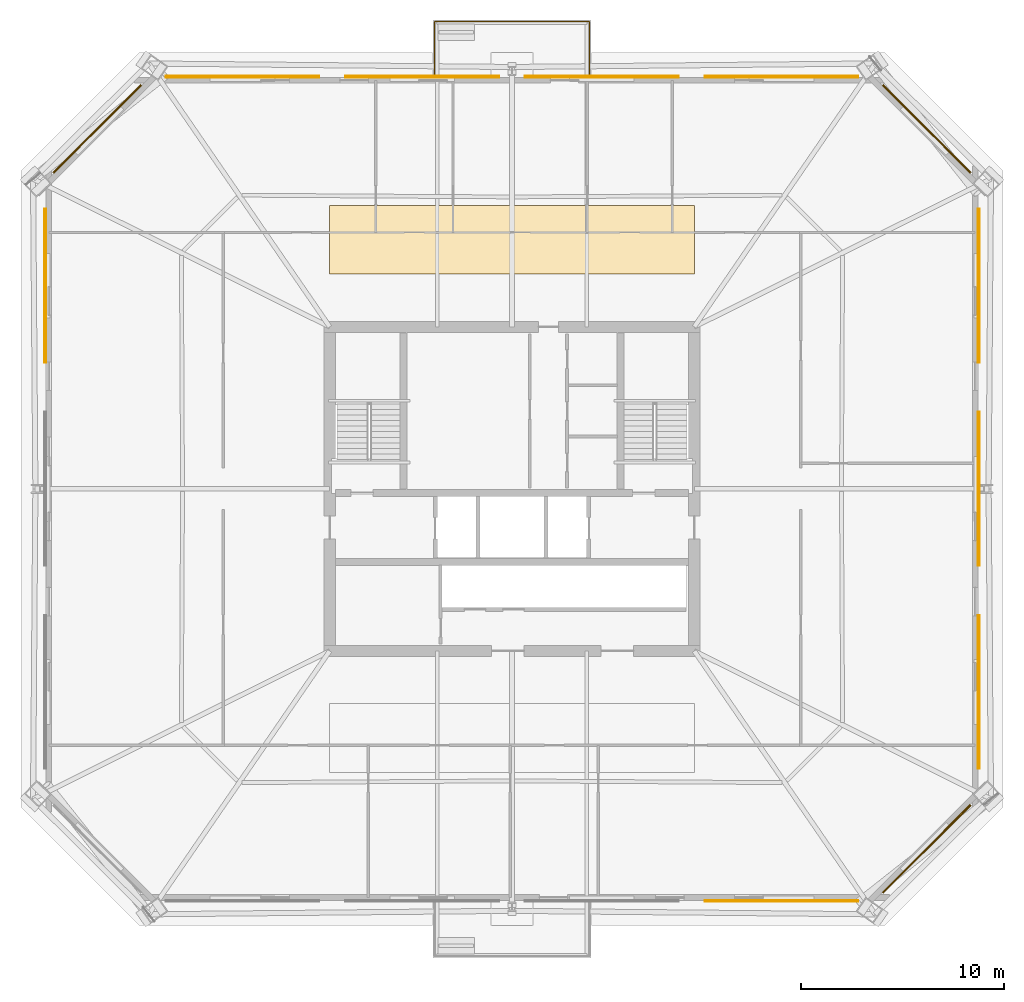
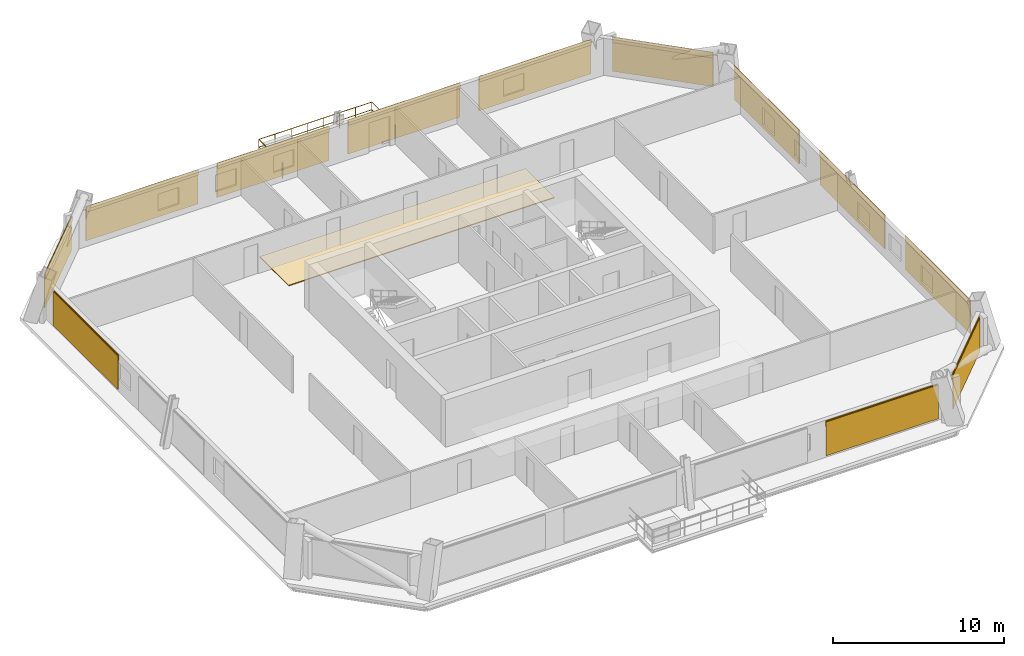
# One storey, part 7 of 7: 13 coverings, 12 shading devices, 1 railing.
"""IFC4 building model written with IfcOpenShell, lengths in metres."""

import ifcopenshell
import ifcopenshell.guid

model = None  # the IFC model being written
_history = None  # IfcOwnerHistory: only IFC2X3 demands one
_inside = {}  # id of a spatial element -> (the spatial element, [elements in it])
_under = {}  # id of a project, library or spatial element -> (it, [spatial elements below it])
_declared = {}  # id of a project -> (the project, [libraries it declares])
_typed = {}  # id of a type object -> (the type object, [elements of that type])
_made_of = {}  # id of a material, layer set ... -> (it, [elements and type objects made of it])


def new_model(schema):
    """Start an empty IFC model of exactly this schema.

    Asked for "IFC4X3", IfcOpenShell would pick the latest addendum, in which some entities
    have other attributes; the version numbers below select the first issue.
    IFC2X3 requires an IfcOwnerHistory on every rooted entity: one is made here for all.
    """
    global model, _history
    if schema == "IFC4X3":
        model = ifcopenshell.file(schema_version=(4, 3, 0, 0))
    else:
        model = ifcopenshell.file(schema=schema)
    _inside.clear()
    _under.clear()
    _declared.clear()
    _typed.clear()
    _made_of.clear()
    _history = None
    if model.schema == "IFC2X3":
        org = make("IfcOrganization", Name="unknown")
        user = make(
            "IfcPersonAndOrganization",
            ThePerson=make("IfcPerson", FamilyName="unknown"),
            TheOrganization=org,
        )
        app = make(
            "IfcApplication",
            ApplicationDeveloper=org,
            Version="unknown",
            ApplicationFullName="unknown",
            ApplicationIdentifier="unknown",
        )
        _history = make(
            "IfcOwnerHistory",
            OwningUser=user,
            OwningApplication=app,
            ChangeAction="ADDED",
            CreationDate=0,
        )
    return model


def make(cls, **values):
    """One entity of the class cls with the attributes given. An attribute that is None is left unset."""
    return model.create_entity(
        cls, **{name: value for name, value in values.items() if value is not None}
    )


def rooted(cls, **values):
    """An entity with a GlobalId (a new one), such as an element, a storey or a relation."""
    return make(cls, GlobalId=ifcopenshell.guid.new(), OwnerHistory=_history, **values)


def si_unit(unit_type, name, prefix=None):
    """IfcSIUnit, for example si_unit("LENGTHUNIT", "METRE", prefix="MILLI")."""
    return make("IfcSIUnit", UnitType=unit_type, Prefix=prefix, Name=name)


def assignment(units):
    """IfcUnitAssignment: the units of a project."""
    return None if units is None else make("IfcUnitAssignment", Units=units)


def point(xyz):
    """IfcCartesianPoint."""
    return None if xyz is None else make("IfcCartesianPoint", Coordinates=xyz)


def direction(xyz):
    """IfcDirection."""
    return None if xyz is None else make("IfcDirection", DirectionRatios=xyz)


def frame(location, z_axis=None, x_axis=None):
    """IfcAxis2Placement3D, a coordinate frame: its origin and axes. An axis left out is left unset."""
    return make(
        "IfcAxis2Placement3D",
        Location=point(location),
        Axis=direction(z_axis),
        RefDirection=direction(x_axis),
    )


def frame_2d(location, x_axis=None):
    """IfcAxis2Placement2D, a coordinate frame in the plane: its origin and x axis."""
    return make(
        "IfcAxis2Placement2D", Location=point(location), RefDirection=direction(x_axis)
    )


def origin():
    """The frame at (0, 0, 0) with its axes left unset."""
    return frame((0.0, 0.0, 0.0))


def origin_2d():
    """The frame at (0, 0) in the plane with its x axis left unset."""
    return frame_2d((0.0, 0.0))


def place(relative_to, where):
    """IfcLocalPlacement: puts the frame where relative to a parent placement (None: the world)."""
    return make(
        "IfcLocalPlacement", PlacementRelTo=relative_to, RelativePlacement=where
    )


def context(
    kind, dimensions, precision=None, world=None, true_north=None, identifier=None
):
    """IfcGeometricRepresentationContext, for example the 3D "Model" context."""
    return make(
        "IfcGeometricRepresentationContext",
        ContextIdentifier=identifier,
        ContextType=kind,
        CoordinateSpaceDimension=dimensions,
        Precision=precision,
        WorldCoordinateSystem=world,
        TrueNorth=true_north,
    )


def subcontext(parent, identifier, kind, view, scale=None):
    """IfcGeometricRepresentationSubContext, for example "Body" below "Model"."""
    return make(
        "IfcGeometricRepresentationSubContext",
        ContextIdentifier=identifier,
        ContextType=kind,
        ParentContext=parent,
        TargetScale=scale,
        TargetView=view,
    )


def project(units=None, contexts=None):
    """IfcProject with its units and contexts."""
    return rooted(
        "IfcProject",
        Name="project",
        RepresentationContexts=contexts,
        UnitsInContext=assignment(units),
    )


def spatial(cls, under=None, at=None, **own):
    """A site, building, storey or space (cls), placed at a placement, below another one or the project."""
    s = rooted(cls, ObjectPlacement=at, **own)
    if under is not None:
        _under.setdefault(under.id(), (under, []))[1].append(s)
    return s


def polyline(points):
    """IfcPolyline through the points."""
    return make("IfcPolyline", Points=[point(p) for p in points])


def profile(cls, at=None, kind="AREA", **sizes):
    """A parametric profile (cls). Its sizes go by their IFC names, for example OverallWidth=200.0."""
    return make(cls, ProfileType=kind, Position=at, **sizes)


def rectangle(**sizes):
    """IfcRectangleProfileDef."""
    return profile("IfcRectangleProfileDef", **sizes)


def circle(**sizes):
    """IfcCircleProfileDef."""
    return profile("IfcCircleProfileDef", **sizes)


def outline(outer, holes=None, kind="AREA"):
    """IfcArbitraryClosedProfileDef: a profile drawn as a closed curve; with holes, ...WithVoids."""
    if holes is None:
        return make("IfcArbitraryClosedProfileDef", ProfileType=kind, OuterCurve=outer)
    return make(
        "IfcArbitraryProfileDefWithVoids",
        ProfileType=kind,
        OuterCurve=outer,
        InnerCurves=holes,
    )


def extrude(swept, where, along, depth):
    """IfcExtrudedAreaSolid: the profile swept, set in the frame where, extruded along a direction by depth."""
    return make(
        "IfcExtrudedAreaSolid",
        SweptArea=swept,
        Position=where,
        ExtrudedDirection=direction(along),
        Depth=depth,
    )


def shape(context_of_items, identifier, shape_type, items):
    """IfcShapeRepresentation: the items that make up one representation, for example the "Body"."""
    return make(
        "IfcShapeRepresentation",
        ContextOfItems=context_of_items,
        RepresentationIdentifier=identifier,
        RepresentationType=shape_type,
        Items=items,
    )


def material(Name=None, Category=None):
    """IfcMaterial."""
    return make("IfcMaterial", Name=Name, Category=Category)


def layer(
    of_material, thickness, ventilated=None, Name=None, Category=None, Priority=None
):
    """IfcMaterialLayer: one layer of a wall or slab, of a material (None: an air gap)."""
    return make(
        "IfcMaterialLayer",
        Material=of_material,
        LayerThickness=thickness,
        IsVentilated=ventilated,
        Name=Name,
        Category=Category,
        Priority=Priority,
    )


def layer_set(layers, Name=None):
    """IfcMaterialLayerSet."""
    return make("IfcMaterialLayerSet", MaterialLayers=layers, LayerSetName=Name)


def made_of(thing, what):
    """Note that an element or type object is made of a material, layer set ...; save() writes the relation."""
    if what is not None:
        _made_of.setdefault(what.id(), (what, []))[1].append(thing)
    return thing


def type_object(cls, material=None, **own):
    """A type object (cls), such as IfcWallType, which elements share."""
    return made_of(rooted(cls, **own), material)


def element(
    cls,
    number,
    at=None,
    inside=None,
    cuts=None,
    type_object=None,
    material=None,
    context=None,
    identifier="Body",
    shape_type=None,
    held_by="IfcProductDefinitionShape",
    body=None,
    shapes=None,
    **own,
):
    """One element of the class cls, such as IfcWall. Its Tag is "e" and its number.

    at: its placement. inside: the storey or other place that contains it. cuts: it is an
    opening in that element (IfcRelVoidsElement). A single representation is given by context,
    identifier, shape_type and body (its items); several are given by shapes. held_by: the class
    of the entity that holds the representations. save() writes the other relations.
    """
    e = rooted(cls, Tag="e%d" % number, ObjectPlacement=at, **own)
    if body is not None:
        shapes = [shape(context, identifier, shape_type, body)]
    if shapes is not None:
        e.Representation = make(held_by, Representations=shapes)
    if inside is not None:
        _inside.setdefault(inside.id(), (inside, []))[1].append(e)
    if cuts is not None:
        rooted(
            "IfcRelVoidsElement", RelatingBuildingElement=cuts, RelatedOpeningElement=e
        )
    if type_object is not None:
        _typed.setdefault(type_object.id(), (type_object, []))[1].append(e)
    return made_of(e, material)


def aggregate(whole, parts):
    """IfcRelAggregates: a whole, such as a stair, and the parts it consists of."""
    return rooted("IfcRelAggregates", RelatingObject=whole, RelatedObjects=parts)


def save(model, path):
    """Write the relations noted so far, then the file.

    IfcRelAggregates (storeys below a building ...), IfcRelContainedInSpatialStructure (elements
    in a storey), IfcRelDefinesByType, IfcRelAssociatesMaterial and IfcRelDeclares: one each for
    every whole, place, type object, material and project.
    """
    for whole, parts in _under.values():
        aggregate(whole, parts)
    for where, things in _inside.values():
        rooted(
            "IfcRelContainedInSpatialStructure",
            RelatedElements=things,
            RelatingStructure=where,
        )
    for kind, things in _typed.values():
        rooted("IfcRelDefinesByType", RelatedObjects=things, RelatingType=kind)
    for what, things in _made_of.values():
        rooted("IfcRelAssociatesMaterial", RelatedObjects=things, RelatingMaterial=what)
    for by, libraries in _declared.values():
        rooted("IfcRelDeclares", RelatingContext=by, RelatedDefinitions=libraries)
    model.write(path)


model = new_model("IFC4")

# Units and contexts
model_context = context("Model", 3, precision=1e-05, world=origin(), true_north=direction((0.0, 1.0)))
body_context = subcontext(model_context, "Body", "Model", "MODEL_VIEW")
ifc_project = project(units=[si_unit("LENGTHUNIT", "METRE"), si_unit("AREAUNIT", "SQUARE_METRE"), si_unit("VOLUMEUNIT", "CUBIC_METRE"), si_unit("PLANEANGLEUNIT", "RADIAN"), si_unit("MASSUNIT", "GRAM", prefix="KILO")], contexts=[model_context])

# Site, building, storey
site_placement = place(None, origin())
site = spatial("IfcSite", under=ifc_project, at=site_placement, CompositionType="ELEMENT")
building_placement = place(site_placement, origin())
building = spatial("IfcBuilding", under=site, at=building_placement, Name="Caelvoria Tower", CompositionType="ELEMENT")
storey_placement = place(building_placement, frame((0.0, 0.0, 113.199951171875)))
storey = spatial("IfcBuildingStorey", under=building, at=storey_placement, Name="L29", CompositionType="ELEMENT", Elevation=113.199951171875)

# Railing
ifc_material_1 = material(Name="Bronze Anodised Aluminium and Stainless Steel", Category="steel")
railing_type = type_object("IfcRailingType", Name="Exterior Terrace and Balcony Guardrail 1150", PredefinedType="GUARDRAIL", material=ifc_material_1)
railing_placement = place(storey_placement, frame((42.179931640625, 52.31005859375, 0.0)))
element("IfcRailing", 1, at=railing_placement, inside=storey, type_object=railing_type, Name="Tree Balcony Guardrail TB-L29-N", PredefinedType="GUARDRAIL", context=body_context, shape_type="SweptSolid", body=[
    extrude(circle(Radius=0.02392578125, at=origin_2d()), frame((0.0, 0.0, 1.1259765625), z_axis=(0.0, 1.0, 0.0), x_axis=(-1.0, 0.0, 0.0)), (0.0, 0.0, 1.0), 2.760009765625),
    extrude(circle(Radius=0.02392578125, at=origin_2d()), frame((0.0, 0.0, 0.574951171875), z_axis=(0.0, 1.0, 0.0), x_axis=(-1.0, 0.0, 0.0)), (0.0, 0.0, 1.0), 2.760009765625),
    extrude(circle(Radius=0.02392578125, at=origin_2d()), frame((0.0, 2.760009765625, 1.1259765625), z_axis=(1.0, 0.0, 0.0), x_axis=(0.0, 1.0, 0.0)), (0.0, 0.0, 1.0), 7.64013671875),
    extrude(circle(Radius=0.02392578125, at=origin_2d()), frame((0.0, 2.760009765625, 0.574951171875), z_axis=(1.0, 0.0, 0.0), x_axis=(0.0, 1.0, 0.0)), (0.0, 0.0, 1.0), 7.64013671875),
    extrude(circle(Radius=0.02392578125, at=origin_2d()), frame((7.64013671875, 2.760009765625, 1.1259765625), z_axis=(0.0, -1.0, 0.0), x_axis=(1.0, 0.0, 0.0)), (0.0, 0.0, 1.0), 2.760009765625),
    extrude(circle(Radius=0.02392578125, at=origin_2d()), frame((7.64013671875, 2.760009765625, 0.574951171875), z_axis=(0.0, -1.0, 0.0), x_axis=(1.0, 0.0, 0.0)), (0.0, 0.0, 1.0), 2.760009765625),
    extrude(circle(Radius=0.02099609375, at=origin_2d()), origin(), (0.0, 0.0, 1.0), 1.101806640625),
    extrude(circle(Radius=0.02099609375, at=origin_2d()), frame((0.0, 0.919921875, 0.0)), (0.0, 0.0, 1.0), 1.101806640625),
    extrude(circle(Radius=0.02099609375, at=origin_2d()), frame((0.0, 1.840087890625, 0.0)), (0.0, 0.0, 1.0), 1.101806640625),
    extrude(circle(Radius=0.02099609375, at=origin_2d()), frame((0.0, 2.760009765625, 0.0)), (0.0, 0.0, 1.0), 1.101806640625),
    extrude(circle(Radius=0.02099609375, at=origin_2d()), frame((1.091552734375, 2.760009765625, 0.0)), (0.0, 0.0, 1.0), 1.101806640625),
    extrude(circle(Radius=0.02099609375, at=origin_2d()), frame((2.182861328125, 2.760009765625, 0.0)), (0.0, 0.0, 1.0), 1.101806640625),
    extrude(circle(Radius=0.02099609375, at=origin_2d()), frame((3.2744140625, 2.760009765625, 0.0)), (0.0, 0.0, 1.0), 1.101806640625),
    extrude(circle(Radius=0.02099609375, at=origin_2d()), frame((4.36572265625, 2.760009765625, 0.0)), (0.0, 0.0, 1.0), 1.101806640625),
    extrude(circle(Radius=0.02099609375, at=origin_2d()), frame((5.457275390625, 2.760009765625, 0.0)), (0.0, 0.0, 1.0), 1.101806640625),
    extrude(circle(Radius=0.02099609375, at=origin_2d()), frame((6.548583984375, 2.760009765625, 0.0)), (0.0, 0.0, 1.0), 1.101806640625),
    extrude(circle(Radius=0.02099609375, at=origin_2d()), frame((7.64013671875, 2.760009765625, 0.0)), (0.0, 0.0, 1.0), 1.101806640625),
    extrude(circle(Radius=0.02099609375, at=origin_2d()), frame((7.64013671875, 1.840087890625, 0.0)), (0.0, 0.0, 1.0), 1.101806640625),
    extrude(circle(Radius=0.02099609375, at=origin_2d()), frame((7.64013671875, 0.919921875, 0.0)), (0.0, 0.0, 1.0), 1.101806640625),
    extrude(circle(Radius=0.02099609375, at=origin_2d()), frame((7.64013671875, 0.0, 0.0)), (0.0, 0.0, 1.0), 1.101806640625),
])

# Coverings
ifc_material_2 = material(Name="Perforated Architectural Bronze Cladding Screen", Category="bronze")
ifc_layer_1 = layer(ifc_material_2, 0.0400390625, Name="Perforated Architectural Bronze Cladding Screen")
ifc_layer_set_1 = layer_set([ifc_layer_1], Name="Perforated Bronze Louvre Cladding Band 40 - Perforated Architectural Bronze Cladding Screen")
covering_type_1 = type_object("IfcCoveringType", Name="Perforated Bronze Louvre Cladding Band 40", PredefinedType="CLADDING", material=ifc_layer_set_1)
covering_1_placement = place(storey_placement, frame((59.304931640625, 11.677978515625, 2.2421875), z_axis=(0.0, 0.0, 1.0), x_axis=(1.0, 0.0, 0.0)))
element("IfcCovering", 2, at=covering_1_placement, inside=storey, type_object=covering_type_1, Name="Perforated Bronze Screen Band L29-E0-03", PredefinedType="CLADDING", context=body_context, shape_type="SweptSolid", body=[
    extrude(rectangle(XDim=7.60009765625, YDim=0.0400390625, at=origin_2d()), origin(), (0.0, 0.0, 1.0), 0.39990234375),
])
covering_2_placement = place(storey_placement, frame((66.456787109375, 14.243408203125, 2.2421875), z_axis=(0.0, 0.0, 1.0), x_axis=(0.707106781187, 0.707106781187, 0.0)))
element("IfcCovering", 3, at=covering_2_placement, inside=storey, type_object=covering_type_1, Name="Perforated Bronze Screen Band L29-E1-00", PredefinedType="CLADDING", context=body_context, shape_type="SweptSolid", body=[
    extrude(rectangle(XDim=6.118896484375, YDim=0.0400390625, at=origin_2d()), origin(), (0.0, 0.0, 1.0), 0.39990234375),
])
for number, where, z_axis, x_axis, name in (
    (4, (69.02197265625, 21.973388671875, 2.2421875), (0.0, 0.0, 1.0), (0.0, 1.0, 0.0), "Perforated Bronze Screen Band L29-E2-00"),
    (5, (69.02197265625, 32.0, 2.2421875), (0.0, 0.0, 1.0), (0.0, 1.0, 0.0), "Perforated Bronze Screen Band L29-E2-01"),
    (6, (69.02197265625, 42.026611328125, 2.2421875), (0.0, 0.0, 1.0), (0.0, 1.0, 0.0), "Perforated Bronze Screen Band L29-E2-02"),
):
    element("IfcCovering", number, at=place(storey_placement, frame(where, z_axis=z_axis, x_axis=x_axis)), inside=storey, type_object=covering_type_1, Name=name, PredefinedType="CLADDING", context=body_context, shape_type="SweptSolid", body=[
        extrude(rectangle(XDim=7.60009765625, YDim=0.0400390625, at=origin_2d()), origin(), (0.0, 0.0, 1.0), 0.39990234375),
    ])
covering_3_placement = place(storey_placement, frame((66.456787109375, 49.756591796875, 2.2421875), z_axis=(0.0, 0.0, 1.0), x_axis=(-0.707106781187, 0.707106781187, 0.0)))
element("IfcCovering", 7, at=covering_3_placement, inside=storey, type_object=covering_type_1, Name="Perforated Bronze Screen Band L29-E3-00", PredefinedType="CLADDING", context=body_context, shape_type="SweptSolid", body=[
    extrude(rectangle(XDim=6.118896484375, YDim=0.0400390625, at=origin_2d()), origin(), (0.0, 0.0, 1.0), 0.39990234375),
])
for number, where, z_axis, x_axis, name in (
    (8, (59.304931640625, 52.322021484375, 2.2421875), (0.0, 0.0, 1.0), (-1.0, 0.0, 0.0), "Perforated Bronze Screen Band L29-E4-00"),
    (9, (50.43505859375, 52.322021484375, 2.2421875), (0.0, 0.0, 1.0), (-1.0, 0.0, 0.0), "Perforated Bronze Screen Band L29-E4-01"),
    (10, (41.56494140625, 52.322021484375, 2.2421875), (0.0, 0.0, 1.0), (-1.0, 0.0, 0.0), "Perforated Bronze Screen Band L29-E4-02"),
    (11, (32.695068359375, 52.322021484375, 2.2421875), (0.0, 0.0, 1.0), (-1.0, 0.0, 0.0), "Perforated Bronze Screen Band L29-E4-03"),
):
    element("IfcCovering", number, at=place(storey_placement, frame(where, z_axis=z_axis, x_axis=x_axis)), inside=storey, type_object=covering_type_1, Name=name, PredefinedType="CLADDING", context=body_context, shape_type="SweptSolid", body=[
        extrude(rectangle(XDim=7.60009765625, YDim=0.0400390625, at=origin_2d()), origin(), (0.0, 0.0, 1.0), 0.39990234375),
    ])
covering_4_placement = place(storey_placement, frame((25.543212890625, 49.756591796875, 2.2421875), z_axis=(0.0, 0.0, 1.0), x_axis=(-0.707106781187, -0.707106781187, 0.0)))
element("IfcCovering", 12, at=covering_4_placement, inside=storey, type_object=covering_type_1, Name="Perforated Bronze Screen Band L29-E5-00", PredefinedType="CLADDING", context=body_context, shape_type="SweptSolid", body=[
    extrude(rectangle(XDim=6.118896484375, YDim=0.0400390625, at=origin_2d()), origin(), (0.0, 0.0, 1.0), 0.39990234375),
])
covering_5_placement = place(storey_placement, frame((22.97802734375, 42.026611328125, 2.2421875), z_axis=(0.0, 0.0, 1.0), x_axis=(0.0, -1.0, 0.0)))
element("IfcCovering", 13, at=covering_5_placement, inside=storey, type_object=covering_type_1, Name="Perforated Bronze Screen Band L29-E6-00", PredefinedType="CLADDING", context=body_context, shape_type="SweptSolid", body=[
    extrude(rectangle(XDim=7.60009765625, YDim=0.0400390625, at=origin_2d()), origin(), (0.0, 0.0, 1.0), 0.39990234375),
])

# Shading devices
ifc_material_3 = material(Name="Perforated Architectural Bronze Alloy Panel", Category="bronze")
ifc_layer_2 = layer(ifc_material_3, 0.044921875, Name="Perforated Architectural Bronze Alloy Panel")
ifc_layer_set_2 = layer_set([ifc_layer_2], Name="Perforated Bronze Solar Screen Panel SCREEN - Perforated Architectural Bronze Alloy Panel")
shading_device_type = type_object("IfcShadingDeviceType", Name="Perforated Bronze Solar Screen Panel SCREEN", PredefinedType="USERDEFINED", material=ifc_layer_set_2)
shading_device_1_placement = place(storey_placement, frame((59.304931640625, 11.635009765625, 0.16015625), z_axis=(0.0, 0.0, 1.0), x_axis=(1.0, 0.0, 0.0)))
element("IfcShadingDevice", 14, at=shading_device_1_placement, inside=storey, type_object=shading_device_type, Name="Perforated Bronze Solar Screen L29-E0-03", ObjectType="SCREEN", PredefinedType="USERDEFINED", context=body_context, shape_type="SweptSolid", body=[
    extrude(rectangle(XDim=7.60009765625, YDim=0.044921875, at=origin_2d()), origin(), (0.0, 0.0, 1.0), 2.422119140625),
])
shading_device_2_placement = place(storey_placement, frame((66.487060546875, 14.212890625, 0.16015625), z_axis=(0.0, 0.0, 1.0), x_axis=(0.707106781187, 0.707106781187, 0.0)))
element("IfcShadingDevice", 15, at=shading_device_2_placement, inside=storey, type_object=shading_device_type, Name="Perforated Bronze Solar Screen L29-E1-00", ObjectType="SCREEN", PredefinedType="USERDEFINED", context=body_context, shape_type="SweptSolid", body=[
    extrude(rectangle(XDim=6.118896484375, YDim=0.044921875, at=origin_2d()), origin(), (0.0, 0.0, 1.0), 2.422119140625),
])
for number, where, z_axis, x_axis, name in (
    (16, (69.06494140625, 21.973388671875, 0.16015625), (0.0, 0.0, 1.0), (0.0, 1.0, 0.0), "Perforated Bronze Solar Screen L29-E2-00"),
    (17, (69.06494140625, 32.0, 0.16015625), (0.0, 0.0, 1.0), (0.0, 1.0, 0.0), "Perforated Bronze Solar Screen L29-E2-01"),
    (18, (69.06494140625, 42.026611328125, 0.16015625), (0.0, 0.0, 1.0), (0.0, 1.0, 0.0), "Perforated Bronze Solar Screen L29-E2-02"),
):
    element("IfcShadingDevice", number, at=place(storey_placement, frame(where, z_axis=z_axis, x_axis=x_axis)), inside=storey, type_object=shading_device_type, Name=name, ObjectType="SCREEN", PredefinedType="USERDEFINED", context=body_context, shape_type="SweptSolid", body=[
        extrude(rectangle(XDim=7.60009765625, YDim=0.044921875, at=origin_2d()), origin(), (0.0, 0.0, 1.0), 2.422119140625),
    ])
shading_device_3_placement = place(storey_placement, frame((66.487060546875, 49.787109375, 0.16015625), z_axis=(0.0, 0.0, 1.0), x_axis=(-0.707106781187, 0.707106781187, 0.0)))
element("IfcShadingDevice", 19, at=shading_device_3_placement, inside=storey, type_object=shading_device_type, Name="Perforated Bronze Solar Screen L29-E3-00", ObjectType="SCREEN", PredefinedType="USERDEFINED", context=body_context, shape_type="SweptSolid", body=[
    extrude(rectangle(XDim=6.118896484375, YDim=0.044921875, at=origin_2d()), origin(), (0.0, 0.0, 1.0), 2.422119140625),
])
for number, where, z_axis, x_axis, name in (
    (20, (59.304931640625, 52.364990234375, 0.16015625), (0.0, 0.0, 1.0), (-1.0, 0.0, 0.0), "Perforated Bronze Solar Screen L29-E4-00"),
    (21, (50.43505859375, 52.364990234375, 0.16015625), (0.0, 0.0, 1.0), (-1.0, 0.0, 0.0), "Perforated Bronze Solar Screen L29-E4-01"),
    (22, (41.56494140625, 52.364990234375, 0.16015625), (0.0, 0.0, 1.0), (-1.0, 0.0, 0.0), "Perforated Bronze Solar Screen L29-E4-02"),
    (23, (32.695068359375, 52.364990234375, 0.16015625), (0.0, 0.0, 1.0), (-1.0, 0.0, 0.0), "Perforated Bronze Solar Screen L29-E4-03"),
):
    element("IfcShadingDevice", number, at=place(storey_placement, frame(where, z_axis=z_axis, x_axis=x_axis)), inside=storey, type_object=shading_device_type, Name=name, ObjectType="SCREEN", PredefinedType="USERDEFINED", context=body_context, shape_type="SweptSolid", body=[
        extrude(rectangle(XDim=7.60009765625, YDim=0.044921875, at=origin_2d()), origin(), (0.0, 0.0, 1.0), 2.422119140625),
    ])
shading_device_4_placement = place(storey_placement, frame((25.512939453125, 49.787109375, 0.16015625), z_axis=(0.0, 0.0, 1.0), x_axis=(-0.707106781187, -0.707106781187, 0.0)))
element("IfcShadingDevice", 24, at=shading_device_4_placement, inside=storey, type_object=shading_device_type, Name="Perforated Bronze Solar Screen L29-E5-00", ObjectType="SCREEN", PredefinedType="USERDEFINED", context=body_context, shape_type="SweptSolid", body=[
    extrude(rectangle(XDim=6.118896484375, YDim=0.044921875, at=origin_2d()), origin(), (0.0, 0.0, 1.0), 2.422119140625),
])
shading_device_5_placement = place(storey_placement, frame((22.93505859375, 42.026611328125, 0.16015625), z_axis=(0.0, 0.0, 1.0), x_axis=(0.0, -1.0, 0.0)))
element("IfcShadingDevice", 25, at=shading_device_5_placement, inside=storey, type_object=shading_device_type, Name="Perforated Bronze Solar Screen L29-E6-00", ObjectType="SCREEN", PredefinedType="USERDEFINED", context=body_context, shape_type="SweptSolid", body=[
    extrude(rectangle(XDim=7.60009765625, YDim=0.044921875, at=origin_2d()), origin(), (0.0, 0.0, 1.0), 2.422119140625),
])

# Covering
ifc_material_4 = material(Name="Calcium-Sulphate Raised Floor Tile", Category="gypsum")
ifc_layer_3 = layer(ifc_material_4, 0.06005859375, Name="Calcium-Sulphate Raised Floor Tile")
ifc_layer_set_3 = layer_set([ifc_layer_3], Name="Raised Access Office Floor System 120 - Calcium-Sulphate Raised Floor Tile")
covering_type_2 = type_object("IfcCoveringType", Name="Raised Access Office Floor System 120", PredefinedType="FLOORING", material=ifc_layer_set_3)
covering_6_placement = place(storey_placement, origin())
element("IfcCovering", 26, at=covering_6_placement, inside=storey, type_object=covering_type_2, Name="Raised Access Flooring L29", PredefinedType="FLOORING", context=body_context, shape_type="SweptSolid", body=[
    extrude(outline(polyline([(37.0, 42.60009765625), (55.0, 42.60009765625), (55.0, 46.0), (37.0, 46.0), (37.0, 42.60009765625)])), origin(), (0.0, 0.0, 1.0), 0.06005859375),
])

save(model, "model.ifc")
